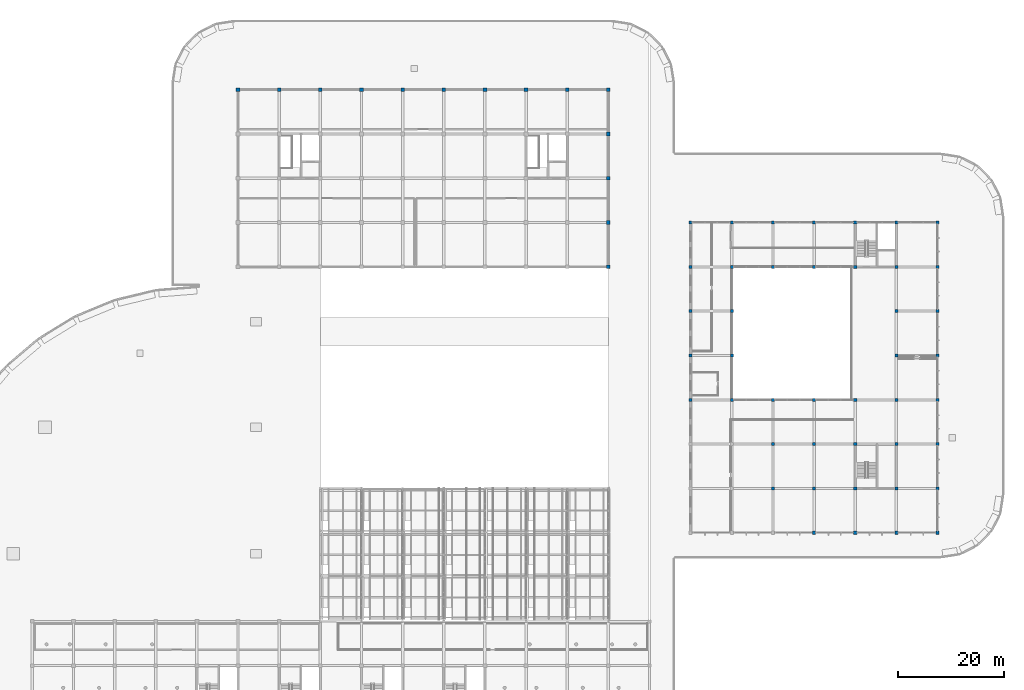
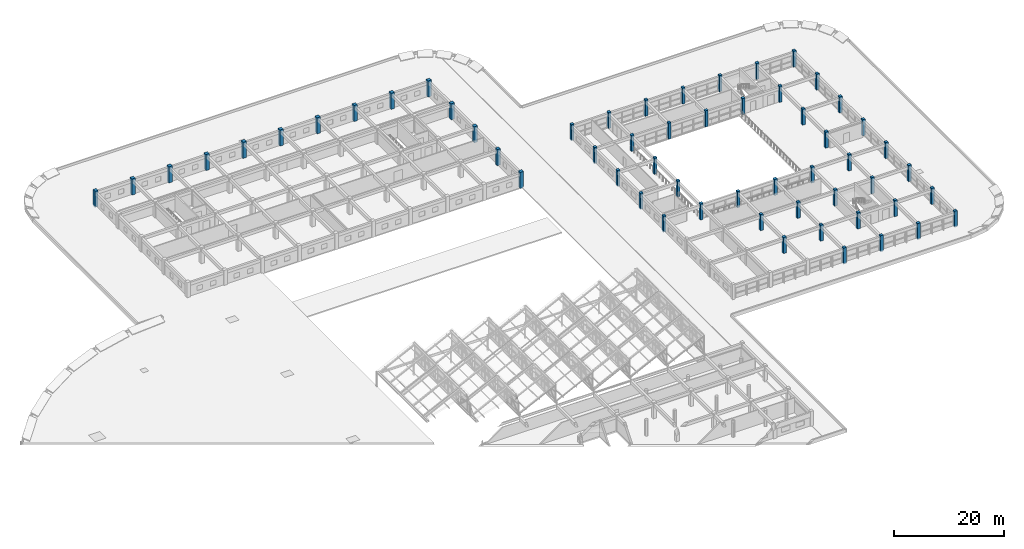
# One storey, part 8 of 101: 57 columns.
"""IFC4 building model written with IfcOpenShell, lengths in metres."""

from ifc_helpers import new_model, si_unit, direction, frame, origin, origin_2d, place, context, subcontext, project, spatial, rectangle, extrude, material, material_profile, profile_set, type_object, element, save


model = new_model("IFC4")

# Units and contexts
model_context = context("Model", 3, precision=1e-05, world=origin(), true_north=direction((0.0, 1.0)))
body_context = subcontext(model_context, "Body", "Model", "MODEL_VIEW")
ifc_project = project(units=[si_unit("LENGTHUNIT", "METRE"), si_unit("AREAUNIT", "SQUARE_METRE"), si_unit("VOLUMEUNIT", "CUBIC_METRE"), si_unit("PLANEANGLEUNIT", "RADIAN"), si_unit("MASSUNIT", "GRAM", prefix="KILO")], contexts=[model_context])

# Site, building, storey
site_placement = place(None, origin())
site = spatial("IfcSite", under=ifc_project, at=site_placement, CompositionType="ELEMENT")
building_placement = place(site_placement, origin())
building = spatial("IfcBuilding", under=site, at=building_placement, Name="Zizhar Promenade General Hospital", CompositionType="ELEMENT")
storey_placement = place(building_placement, frame((0.0, 0.0, 14.39990234375)))
storey = spatial("IfcBuildingStorey", under=building, at=storey_placement, Name="L03", CompositionType="ELEMENT", Elevation=14.39990234375)

# Columns
ifc_material_1 = material(Name="Concrete C40/50", Category="concrete")
ifc_material_profile_1 = material_profile(ifc_material_1, rectangle(XDim=0.580078125, YDim=0.580078125, at=origin_2d()))
ifc_profile_set_1 = profile_set([ifc_material_profile_1], Name="Concrete C40/50")
column_type_1 = type_object("IfcColumnType", Name="COL-RC-580", PredefinedType="COLUMN", material=ifc_profile_set_1)
for number, where, z_axis, x_axis, name in (
    (1, (140.39990234375, 67.199951171875, 0.0), (0.0, 0.0, 1.0), (1.0, 0.0, 0.0), "Column 19-J (L03)"),
    (2, (140.39990234375, 75.60009765625, 0.0), (0.0, 0.0, 1.0), (1.0, 0.0, 0.0), "Column 19-K (L03)"),
    (3, (140.39990234375, 84.0, 0.0), (0.0, 0.0, 1.0), (1.0, 0.0, 0.0), "Column 19-L (L03)"),
    (4, (140.39990234375, 92.39990234375, 0.0), (0.0, 0.0, 1.0), (1.0, 0.0, 0.0), "Column 19-M (L03)"),
    (5, (140.39990234375, 100.800048828125, 0.0), (0.0, 0.0, 1.0), (1.0, 0.0, 0.0), "Column 19-N (L03)"),
    (6, (148.199951171875, 67.199951171875, 0.0), (0.0, 0.0, 1.0), (1.0, 0.0, 0.0), "Column 20-J (L03)"),
    (7, (148.199951171875, 75.60009765625, 0.0), (0.0, 0.0, 1.0), (1.0, 0.0, 0.0), "Column 20-K (L03)"),
    (8, (148.199951171875, 84.0, 0.0), (0.0, 0.0, 1.0), (1.0, 0.0, 0.0), "Column 20-L (L03)"),
    (9, (148.199951171875, 92.39990234375, 0.0), (0.0, 0.0, 1.0), (1.0, 0.0, 0.0), "Column 20-M (L03)"),
    (10, (148.199951171875, 100.800048828125, 0.0), (0.0, 0.0, 1.0), (1.0, 0.0, 0.0), "Column 20-N (L03)"),
    (11, (156.0, 50.39990234375, 0.0), (0.0, 0.0, 1.0), (1.0, 0.0, 0.0), "Column 21-G (L03)"),
    (12, (156.0, 58.800048828125, 0.0), (0.0, 0.0, 1.0), (1.0, 0.0, 0.0), "Column 21-H (L03)"),
    (13, (156.0, 67.199951171875, 0.0), (0.0, 0.0, 1.0), (1.0, 0.0, 0.0), "Column 21-J (L03)"),
    (14, (156.0, 92.39990234375, 0.0), (0.0, 0.0, 1.0), (1.0, 0.0, 0.0), "Column 21-M (L03)"),
    (15, (156.0, 100.800048828125, 0.0), (0.0, 0.0, 1.0), (1.0, 0.0, 0.0), "Column 21-N (L03)"),
    (16, (163.800048828125, 42.0, 0.0), (0.0, 0.0, 1.0), (1.0, 0.0, 0.0), "Column 22-F (L03)"),
    (17, (163.800048828125, 50.39990234375, 0.0), (0.0, 0.0, 1.0), (1.0, 0.0, 0.0), "Column 22-G (L03)"),
    (18, (163.800048828125, 58.800048828125, 0.0), (0.0, 0.0, 1.0), (1.0, 0.0, 0.0), "Column 22-H (L03)"),
    (19, (163.800048828125, 67.199951171875, 0.0), (0.0, 0.0, 1.0), (1.0, 0.0, 0.0), "Column 22-J (L03)"),
    (20, (163.800048828125, 92.39990234375, 0.0), (0.0, 0.0, 1.0), (1.0, 0.0, 0.0), "Column 22-M (L03)"),
    (21, (163.800048828125, 100.800048828125, 0.0), (0.0, 0.0, 1.0), (1.0, 0.0, 0.0), "Column 22-N (L03)"),
    (22, (171.60009765625, 42.0, 0.0), (0.0, 0.0, 1.0), (1.0, 0.0, 0.0), "Column 23-F (L03)"),
    (23, (171.60009765625, 50.39990234375, 0.0), (0.0, 0.0, 1.0), (1.0, 0.0, 0.0), "Column 23-G (L03)"),
    (24, (171.60009765625, 58.800048828125, 0.0), (0.0, 0.0, 1.0), (1.0, 0.0, 0.0), "Column 23-H (L03)"),
    (25, (171.60009765625, 67.199951171875, 0.0), (0.0, 0.0, 1.0), (1.0, 0.0, 0.0), "Column 23-J (L03)"),
    (26, (171.60009765625, 92.39990234375, 0.0), (0.0, 0.0, 1.0), (1.0, 0.0, 0.0), "Column 23-M (L03)"),
    (27, (171.60009765625, 100.800048828125, 0.0), (0.0, 0.0, 1.0), (1.0, 0.0, 0.0), "Column 23-N (L03)"),
    (28, (179.39990234375, 42.0, 0.0), (0.0, 0.0, 1.0), (1.0, 0.0, 0.0), "Column 24-F (L03)"),
    (29, (179.39990234375, 50.39990234375, 0.0), (0.0, 0.0, 1.0), (1.0, 0.0, 0.0), "Column 24-G (L03)"),
    (30, (179.39990234375, 58.800048828125, 0.0), (0.0, 0.0, 1.0), (1.0, 0.0, 0.0), "Column 24-H (L03)"),
    (31, (179.39990234375, 67.199951171875, 0.0), (0.0, 0.0, 1.0), (1.0, 0.0, 0.0), "Column 24-J (L03)"),
    (32, (179.39990234375, 75.60009765625, 0.0), (0.0, 0.0, 1.0), (1.0, 0.0, 0.0), "Column 24-K (L03)"),
    (33, (179.39990234375, 84.0, 0.0), (0.0, 0.0, 1.0), (1.0, 0.0, 0.0), "Column 24-L (L03)"),
    (34, (179.39990234375, 92.39990234375, 0.0), (0.0, 0.0, 1.0), (1.0, 0.0, 0.0), "Column 24-M (L03)"),
    (35, (179.39990234375, 100.800048828125, 0.0), (0.0, 0.0, 1.0), (1.0, 0.0, 0.0), "Column 24-N (L03)"),
    (36, (187.199951171875, 42.0, 0.0), (0.0, 0.0, 1.0), (1.0, 0.0, 0.0), "Column 25-F (L03)"),
    (37, (187.199951171875, 50.39990234375, 0.0), (0.0, 0.0, 1.0), (1.0, 0.0, 0.0), "Column 25-G (L03)"),
    (38, (187.199951171875, 58.800048828125, 0.0), (0.0, 0.0, 1.0), (1.0, 0.0, 0.0), "Column 25-H (L03)"),
    (39, (187.199951171875, 67.199951171875, 0.0), (0.0, 0.0, 1.0), (1.0, 0.0, 0.0), "Column 25-J (L03)"),
    (40, (187.199951171875, 75.60009765625, 0.0), (0.0, 0.0, 1.0), (1.0, 0.0, 0.0), "Column 25-K (L03)"),
    (41, (187.199951171875, 84.0, 0.0), (0.0, 0.0, 1.0), (1.0, 0.0, 0.0), "Column 25-L (L03)"),
    (42, (187.199951171875, 92.39990234375, 0.0), (0.0, 0.0, 1.0), (1.0, 0.0, 0.0), "Column 25-M (L03)"),
    (43, (187.199951171875, 100.800048828125, 0.0), (0.0, 0.0, 1.0), (1.0, 0.0, 0.0), "Column 25-N (L03)"),
):
    element("IfcColumn", number, at=place(storey_placement, frame(where, z_axis=z_axis, x_axis=x_axis)), inside=storey, type_object=column_type_1, Name=name, PredefinedType="COLUMN", context=body_context, shape_type="SweptSolid", body=[
        extrude(rectangle(XDim=0.580078125, YDim=0.580078125, at=origin_2d()), origin(), (0.0, 0.0, 1.0), 3.60009765625),
    ])
ifc_material_2 = material(Name="Concrete C40/50", Category="concrete")
ifc_material_profile_2 = material_profile(ifc_material_2, rectangle(XDim=0.699951171875, YDim=0.699951171875, at=origin_2d()))
ifc_profile_set_2 = profile_set([ifc_material_profile_2], Name="Concrete C40/50")
column_type_2 = type_object("IfcColumnType", Name="COL-RC-700", PredefinedType="COLUMN", material=ifc_profile_set_2)
for number, where, z_axis, x_axis, name in (
    (44, (54.60009765625, 126.0, 0.0), (0.0, 0.0, 1.0), (1.0, 0.0, 0.0), "Column 8-R (L03)"),
    (45, (62.39990234375, 126.0, 0.0), (0.0, 0.0, 1.0), (1.0, 0.0, 0.0), "Column 9-R (L03)"),
    (46, (70.199951171875, 126.0, 0.0), (0.0, 0.0, 1.0), (1.0, 0.0, 0.0), "Column 10-R (L03)"),
    (47, (78.0, 126.0, 0.0), (0.0, 0.0, 1.0), (1.0, 0.0, 0.0), "Column 11-R (L03)"),
    (48, (85.800048828125, 126.0, 0.0), (0.0, 0.0, 1.0), (1.0, 0.0, 0.0), "Column 12-R (L03)"),
    (49, (93.60009765625, 126.0, 0.0), (0.0, 0.0, 1.0), (1.0, 0.0, 0.0), "Column 13-R (L03)"),
    (50, (101.39990234375, 126.0, 0.0), (0.0, 0.0, 1.0), (1.0, 0.0, 0.0), "Column 14-R (L03)"),
    (51, (109.199951171875, 126.0, 0.0), (0.0, 0.0, 1.0), (1.0, 0.0, 0.0), "Column 15-R (L03)"),
    (52, (117.0, 126.0, 0.0), (0.0, 0.0, 1.0), (1.0, 0.0, 0.0), "Column 16-R (L03)"),
    (53, (124.800048828125, 92.39990234375, 0.0), (0.0, 0.0, 1.0), (1.0, 0.0, 0.0), "Column 17-M (L03)"),
    (54, (124.800048828125, 100.800048828125, 0.0), (0.0, 0.0, 1.0), (1.0, 0.0, 0.0), "Column 17-N (L03)"),
    (55, (124.800048828125, 109.199951171875, 0.0), (0.0, 0.0, 1.0), (1.0, 0.0, 0.0), "Column 17-P (L03)"),
    (56, (124.800048828125, 117.60009765625, 0.0), (0.0, 0.0, 1.0), (1.0, 0.0, 0.0), "Column 17-Q (L03)"),
    (57, (124.800048828125, 126.0, 0.0), (0.0, 0.0, 1.0), (1.0, 0.0, 0.0), "Column 17-R (L03)"),
):
    element("IfcColumn", number, at=place(storey_placement, frame(where, z_axis=z_axis, x_axis=x_axis)), inside=storey, type_object=column_type_2, Name=name, PredefinedType="COLUMN", context=body_context, shape_type="SweptSolid", body=[
        extrude(rectangle(XDim=0.699951171875, YDim=0.699951171875, at=origin_2d()), origin(), (0.0, 0.0, 1.0), 3.60009765625),
    ])

save(model, "model.ifc")
